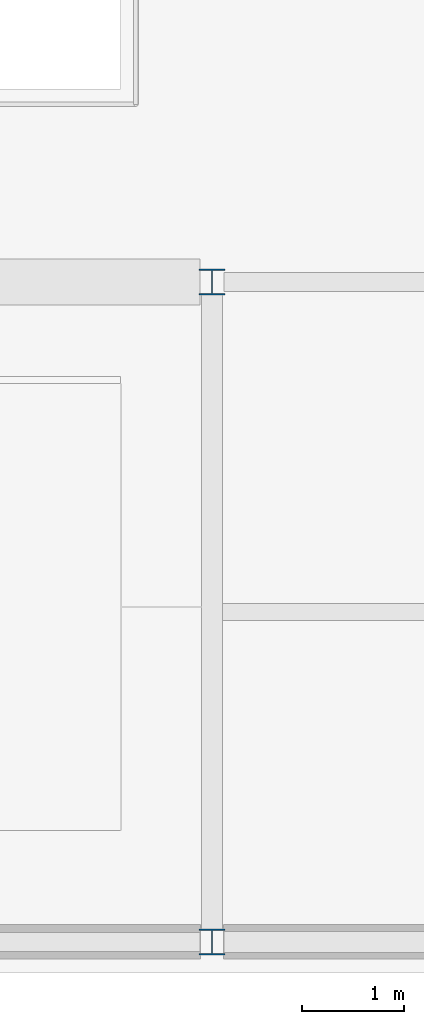
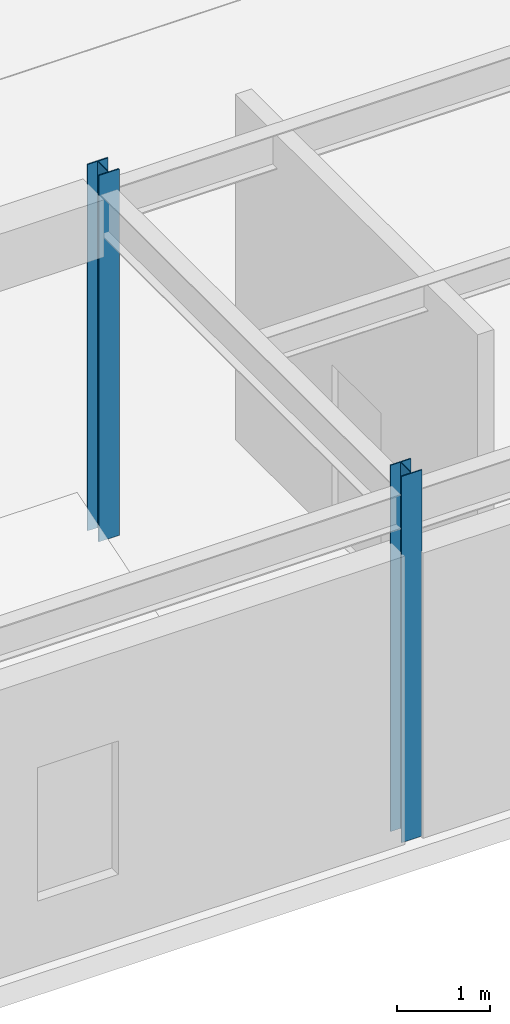
# One storey, part 2 of 144: 2 columns.
"""IFC4 building model written with IfcOpenShell, lengths in metres."""

from ifc_helpers import new_model, si_unit, direction, frame, origin, origin_2d, place, context, subcontext, project, spatial, i_section, extrude, material, material_profile, profile_set, type_object, element, save


model = new_model("IFC4")

# Units and contexts
model_context = context("Model", 3, precision=1e-05, world=origin(), true_north=direction((0.0, 1.0)))
body_context = subcontext(model_context, "Body", "Model", "MODEL_VIEW")
ifc_project = project(units=[si_unit("LENGTHUNIT", "METRE"), si_unit("AREAUNIT", "SQUARE_METRE"), si_unit("VOLUMEUNIT", "CUBIC_METRE"), si_unit("PLANEANGLEUNIT", "RADIAN"), si_unit("MASSUNIT", "GRAM", prefix="KILO")], contexts=[model_context])

# Site, building, storey
site_placement = place(None, origin())
site = spatial("IfcSite", under=ifc_project, at=site_placement, CompositionType="ELEMENT")
building_placement = place(site_placement, origin())
building = spatial("IfcBuilding", under=site, at=building_placement, Name="Cinderbank Siding Concert Hall", CompositionType="ELEMENT")
storey_placement = place(building_placement, frame((0.0, 0.0, 5.39990234375)))
storey = spatial("IfcBuildingStorey", under=building, at=storey_placement, Name="L02", CompositionType="ELEMENT", Elevation=5.39990234375)

# Columns
ifc_material = material(Name="Structural steel AS/NZS 3679.1 Grade 350 (340 MPa)", Category="steel")
ifc_material_profile = material_profile(ifc_material, i_section(OverallWidth=0.25390625, OverallDepth=0.25390625, WebThickness=0.008544921875, FlangeThickness=0.01416015625, at=origin_2d()), Name="250UC72.9", Category="LoadBearing")
ifc_profile_set = profile_set([ifc_material_profile], Name="Structural steel AS/NZS 3679.1 Grade 350 (340 MPa)")
column_type = type_object("IfcColumnType", Name="C-UC250 250UC72.9", PredefinedType="COLUMN", material=ifc_profile_set)
for number, where, z_axis, x_axis, name in (
    (1, (37.39990234375, 6.10009765625, 0.0), (0.0, 0.0, 1.0), (1.0, 0.0, 0.0), "L02 Column COL-V2-5-1"),
    (2, (37.39990234375, 12.60009765625, 0.0), (0.0, 0.0, 1.0), (1.0, 0.0, 0.0), "L02 Column COL-V2-5-2"),
):
    element("IfcColumn", number, at=place(storey_placement, frame(where, z_axis=z_axis, x_axis=x_axis)), inside=storey, type_object=column_type, Name=name, PredefinedType="COLUMN", context=body_context, shape_type="SweptSolid", body=[
        extrude(i_section(OverallWidth=0.25390625, OverallDepth=0.25390625, WebThickness=0.008544921875, FlangeThickness=0.01416015625, at=origin_2d()), origin(), (0.0, 0.0, 1.0), 4.800048828125),
    ])

save(model, "model.ifc")
